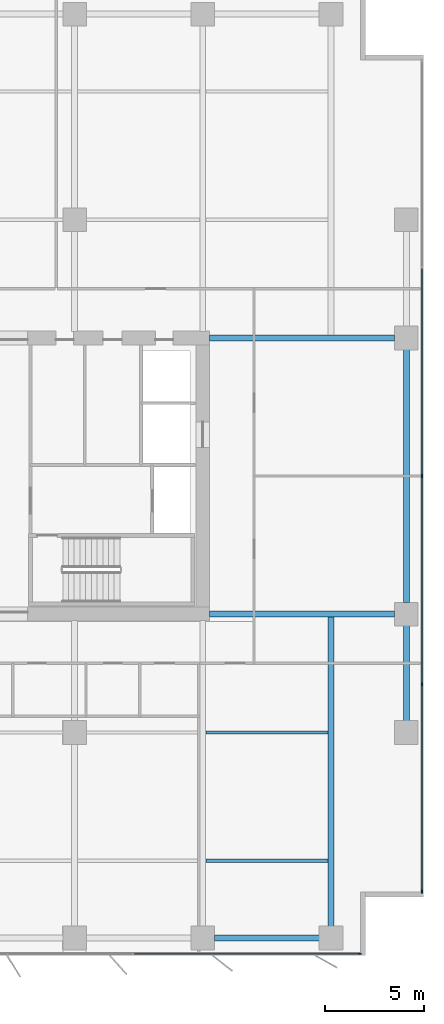
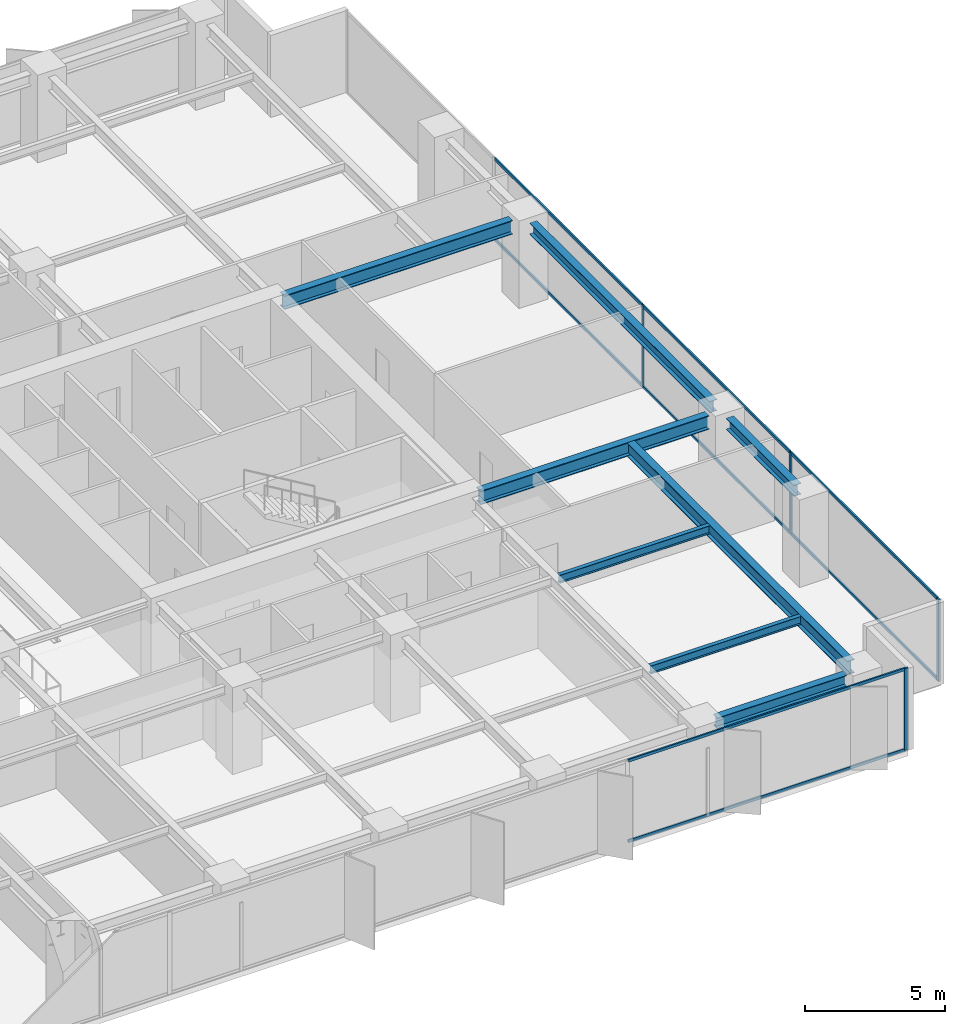
# One storey, part 10 of 20: 12 members, 8 beams, 2 elements without a shape of their own.
"""IFC4 building model written with IfcOpenShell, lengths in metres."""

from ifc_helpers import new_model, si_unit, direction, frame, origin, origin_2d, place, context, subcontext, project, spatial, rectangle, i_section, extrude, material, layer, layer_set, material_profile, profile_set, type_object, element, aggregate, save


model = new_model("IFC4")

# Units and contexts
model_context = context("Model", 3, precision=1e-05, world=origin(), true_north=direction((0.0, 1.0)))
body_context = subcontext(model_context, "Body", "Model", "MODEL_VIEW")
ifc_project = project(units=[si_unit("LENGTHUNIT", "METRE"), si_unit("AREAUNIT", "SQUARE_METRE"), si_unit("VOLUMEUNIT", "CUBIC_METRE"), si_unit("PLANEANGLEUNIT", "RADIAN"), si_unit("MASSUNIT", "GRAM", prefix="KILO")], contexts=[model_context])

# Site, building, storey
site_placement = place(None, origin())
site = spatial("IfcSite", under=ifc_project, at=site_placement, CompositionType="ELEMENT")
building_placement = place(site_placement, origin())
building = spatial("IfcBuilding", under=site, at=building_placement, Name="Putna Gate Headquarters", CompositionType="ELEMENT")
storey_placement = place(building_placement, frame((0.0, 0.0, 97.39990234375)))
storey = spatial("IfcBuildingStorey", under=building, at=storey_placement, Name="L23", CompositionType="ELEMENT", Elevation=97.39990234375)

# Beams
ifc_material_1 = material(Name="Steel S355J2", Category="steel")
ifc_material_profile_1 = material_profile(ifc_material_1, i_section(OverallWidth=0.300048828125, OverallDepth=0.60009765625, WebThickness=0.015380859375, FlangeThickness=0.030029296875, at=origin_2d()), Name="Steel S355J2")
ifc_profile_set_1 = profile_set([ifc_material_profile_1], Name="Steel S355J2")
beam_type_1 = type_object("IfcBeamType", Name="BM-GIRD-Z2-HEB600", PredefinedType="USERDEFINED", material=ifc_profile_set_1)
for number, where, z_axis, x_axis, name in (
    (1, (65.3349609375, 19.0, 3.26513671875), (1.0, 0.0, 0.0), (0.0, 1.0, 0.0), "L23 East Wing Girder Y19"),
    (2, (65.3349609375, 33.0, 3.26513671875), (1.0, 0.0, 0.0), (0.0, 1.0, 0.0), "L23 East Wing Girder Y33"),
):
    element("IfcBeam", number, at=place(storey_placement, frame(where, z_axis=z_axis, x_axis=x_axis)), inside=storey, type_object=beam_type_1, Name=name, ObjectType="GIRDER", PredefinedType="USERDEFINED", context=body_context, shape_type="SweptSolid", body=[
        extrude(i_section(OverallWidth=0.300048828125, OverallDepth=0.60009765625, WebThickness=0.015380859375, FlangeThickness=0.030029296875, at=origin_2d()), origin(), (0.0, 0.0, 1.0), 9.39697265625),
    ])
beam_1_placement = place(storey_placement, frame((71.5, 3.16796875, 3.26513671875), z_axis=(0.0, 1.0, 0.0), x_axis=(-1.0, 0.0, 0.0)))
element("IfcBeam", 3, at=beam_1_placement, inside=storey, type_object=beam_type_1, Name="L23 South Primary Girder X71", ObjectType="GIRDER", PredefinedType="USERDEFINED", context=body_context, shape_type="SweptSolid", body=[
    extrude(i_section(OverallWidth=0.300048828125, OverallDepth=0.60009765625, WebThickness=0.015380859375, FlangeThickness=0.030029296875, at=origin_2d()), origin(), (0.0, 0.0, 1.0), 15.820068359375),
])
ifc_material_profile_2 = material_profile(ifc_material_1, i_section(OverallWidth=0.169921875, OverallDepth=0.360107421875, WebThickness=0.008056640625, FlangeThickness=0.0126953125, at=origin_2d()), Name="Steel S355J2")
ifc_profile_set_2 = profile_set([ifc_material_profile_2], Name="Steel S355J2")
beam_type_2 = type_object("IfcBeamType", Name="BM-SEC-Z2-IPE360", PredefinedType="BEAM", material=ifc_profile_set_2)
for number, where, z_axis, x_axis, name in (
    (4, (65.154052734375, 6.5, 3.385009765625), (1.0, 0.0, 0.0), (0.0, 1.0, 0.0), "L23 South Secondary Beam 10"),
    (5, (65.154052734375, 13.0, 3.385009765625), (1.0, 0.0, 0.0), (0.0, 1.0, 0.0), "L23 South Secondary Beam 10"),
):
    element("IfcBeam", number, at=place(storey_placement, frame(where, z_axis=z_axis, x_axis=x_axis)), inside=storey, type_object=beam_type_2, Name=name, PredefinedType="BEAM", context=body_context, shape_type="SweptSolid", body=[
        extrude(i_section(OverallWidth=0.169921875, OverallDepth=0.360107421875, WebThickness=0.008056640625, FlangeThickness=0.0126953125, at=origin_2d()), origin(), (0.0, 0.0, 1.0), 6.19189453125),
    ])
ifc_material_profile_3 = material_profile(ifc_material_1, i_section(OverallWidth=0.300048828125, OverallDepth=0.489990234375, WebThickness=0.011962890625, FlangeThickness=0.02294921875, at=origin_2d()), Name="Steel S355J2")
ifc_profile_set_3 = profile_set([ifc_material_profile_3], Name="Steel S355J2")
beam_type_3 = type_object("IfcBeamType", Name="BM-SPAN-Z2-HEA500", PredefinedType="SPANDREL", material=ifc_profile_set_3)
beam_2_placement = place(storey_placement, frame((65.587890625, 2.580078125, 3.320068359375), z_axis=(1.0, 0.0, 0.0), x_axis=(0.0, 1.0, 0.0)))
element("IfcBeam", 6, at=beam_2_placement, inside=storey, type_object=beam_type_3, Name="L23 S Perimeter Spandrel 10", PredefinedType="SPANDREL", context=body_context, shape_type="SweptSolid", body=[
    extrude(i_section(OverallWidth=0.300048828125, OverallDepth=0.489990234375, WebThickness=0.011962890625, FlangeThickness=0.02294921875, at=origin_2d()), origin(), (0.0, 0.0, 1.0), 5.32421875),
])
beam_3_placement = place(storey_placement, frame((75.320068359375, 13.587890625, 3.320068359375), z_axis=(0.0, 1.0, 0.0), x_axis=(-1.0, 0.0, 0.0)))
element("IfcBeam", 7, at=beam_3_placement, inside=storey, type_object=beam_type_3, Name="L23 E End Spandrel 1", PredefinedType="SPANDREL", context=body_context, shape_type="SweptSolid", body=[
    extrude(i_section(OverallWidth=0.300048828125, OverallDepth=0.489990234375, WebThickness=0.011962890625, FlangeThickness=0.02294921875, at=origin_2d()), origin(), (0.0, 0.0, 1.0), 4.82421875),
])
beam_4_placement = place(storey_placement, frame((75.320068359375, 19.587890625, 3.320068359375), z_axis=(0.0, 1.0, 0.0), x_axis=(-1.0, 0.0, 0.0)))
element("IfcBeam", 8, at=beam_4_placement, inside=storey, type_object=beam_type_3, Name="L23 E End Spandrel 2", PredefinedType="SPANDREL", context=body_context, shape_type="SweptSolid", body=[
    extrude(i_section(OverallWidth=0.300048828125, OverallDepth=0.489990234375, WebThickness=0.011962890625, FlangeThickness=0.02294921875, at=origin_2d()), origin(), (0.0, 0.0, 1.0), 12.82421875),
])

# Curtain wall, member
ifc_material_2 = material(Name="Anodised bronze aluminium curtain wall", Category="aluminium")
ifc_layer = layer(ifc_material_2, 0.159912109375)
ifc_layer_set = layer_set([ifc_layer], Name="Anodised bronze aluminium curtain wall")
curtain_wall_type = type_object("IfcCurtainWallType", Name="CW-SYS-Z2", PredefinedType="USERDEFINED", material=ifc_layer_set)
curtain_wall_1_placement = place(storey_placement, origin())
curtain_wall_1 = element("IfcCurtainWall", 9, at=curtain_wall_1_placement, inside=storey, type_object=curtain_wall_type, Name="L23 South East Curtain Wall", ObjectType="STICK CURTAIN WALL", PredefinedType="USERDEFINED")
ifc_material_3 = material(Name="Anodised bronze aluminium EN AW-6060", Category="aluminium")
ifc_material_profile_4 = material_profile(ifc_material_3, rectangle(XDim=0.06494140625, YDim=0.159912109375, at=origin_2d()), Name="Anodised bronze aluminium EN AW-6060")
ifc_profile_set_4 = profile_set([ifc_material_profile_4], Name="Anodised bronze aluminium EN AW-6060")
member_type_1 = type_object("IfcMemberType", Name="MULL-CWM-2", PredefinedType="MULLION", material=ifc_profile_set_4)
member_1_placement = place(storey_placement, frame((72.967529296875, 1.780029296875, 0.0), z_axis=(0.0, 0.0, 1.0), x_axis=(0.0, 1.0, 0.0)))
member_1 = element("IfcMember", 10, at=member_1_placement, type_object=member_type_1, Name="CWS-2 mullion 3", PredefinedType="MULLION", context=body_context, shape_type="SweptSolid", body=[
    extrude(rectangle(XDim=0.06494140625, YDim=0.159912109375, at=origin_2d()), origin(), (0.0, 0.0, 1.0), 3.565185546875),
])

# Curtain wall, members
curtain_wall_2_placement = place(storey_placement, origin())
curtain_wall_2 = element("IfcCurtainWall", 11, at=curtain_wall_2_placement, inside=storey, type_object=curtain_wall_type, Name="L23 East Curtain Wall", ObjectType="STICK CURTAIN WALL", PredefinedType="USERDEFINED")
member_2_placement = place(storey_placement, frame((76.1201171875, 4.9326171875, 0.0), z_axis=(0.0, 0.0, 1.0), x_axis=(-1.0, 0.0, 0.0)))
member_2 = element("IfcMember", 12, at=member_2_placement, type_object=member_type_1, Name="CWS-2 mullion 1", PredefinedType="MULLION", context=body_context, shape_type="SweptSolid", body=[
    extrude(rectangle(XDim=0.06494140625, YDim=0.159912109375, at=origin_2d()), origin(), (0.0, 0.0, 1.0), 3.565185546875),
])
member_3_placement = place(storey_placement, frame((76.1201171875, 15.449951171875, 0.0), z_axis=(0.0, 0.0, 1.0), x_axis=(-1.0, 0.0, 0.0)))
member_3 = element("IfcMember", 13, at=member_3_placement, type_object=member_type_1, Name="CWS-2 mullion 2", PredefinedType="MULLION", context=body_context, shape_type="SweptSolid", body=[
    extrude(rectangle(XDim=0.06494140625, YDim=0.159912109375, at=origin_2d()), origin(), (0.0, 0.0, 1.0), 3.565185546875),
])
member_4_placement = place(storey_placement, frame((76.1201171875, 26.0, 0.0), z_axis=(0.0, 0.0, 1.0), x_axis=(-1.0, 0.0, 0.0)))
member_4 = element("IfcMember", 14, at=member_4_placement, type_object=member_type_1, Name="CWS-2 mullion 3", PredefinedType="MULLION", context=body_context, shape_type="SweptSolid", body=[
    extrude(rectangle(XDim=0.06494140625, YDim=0.159912109375, at=origin_2d()), origin(), (0.0, 0.0, 1.0), 3.565185546875),
])

# Member
ifc_material_profile_5 = material_profile(ifc_material_3, rectangle(XDim=0.06494140625, YDim=0.1201171875, at=origin_2d()), Name="Anodised bronze aluminium EN AW-6060")
ifc_profile_set_5 = profile_set([ifc_material_profile_5], Name="Anodised bronze aluminium EN AW-6060")
member_type_2 = type_object("IfcMemberType", Name="TRAN-CWT-2", PredefinedType="USERDEFINED", material=ifc_profile_set_5)
member_5_placement = place(storey_placement, frame((61.532470703125, 1.780029296875, 0.03271484375), z_axis=(1.0, 0.0, 0.0), x_axis=(0.0, 1.0, 0.0)))
member_5 = element("IfcMember", 15, at=member_5_placement, type_object=member_type_2, Name="CWS-2 transom 2.1", ObjectType="TRANSOM", PredefinedType="USERDEFINED", context=body_context, shape_type="SweptSolid", body=[
    extrude(rectangle(XDim=0.06494140625, YDim=0.1201171875, at=origin_2d()), origin(), (0.0, 0.0, 1.0), 11.402587890625),
])

member_6_placement = place(storey_placement, frame((61.532470703125, 1.780029296875, 3.53271484375), z_axis=(1.0, 0.0, 0.0), x_axis=(0.0, 1.0, 0.0)))
member_6 = element("IfcMember", 16, at=member_6_placement, type_object=member_type_2, Name="CWS-2 transom 2.2", ObjectType="TRANSOM", PredefinedType="USERDEFINED", context=body_context, shape_type="SweptSolid", body=[
    extrude(rectangle(XDim=0.06494140625, YDim=0.1201171875, at=origin_2d()), origin(), (0.0, 0.0, 1.0), 11.402587890625),
])

aggregate(curtain_wall_1, [member_1, member_5, member_6])

member_7_placement = place(storey_placement, frame((76.1201171875, 4.965087890625, 0.03271484375), z_axis=(0.0, 1.0, 0.0), x_axis=(-1.0, 0.0, 0.0)))
member_7 = element("IfcMember", 17, at=member_7_placement, type_object=member_type_2, Name="CWS-2 transom 1.1", ObjectType="TRANSOM", PredefinedType="USERDEFINED", context=body_context, shape_type="SweptSolid", body=[
    extrude(rectangle(XDim=0.06494140625, YDim=0.1201171875, at=origin_2d()), origin(), (0.0, 0.0, 1.0), 10.452392578125),
])

member_8_placement = place(storey_placement, frame((76.1201171875, 4.965087890625, 3.53271484375), z_axis=(0.0, 1.0, 0.0), x_axis=(-1.0, 0.0, 0.0)))
member_8 = element("IfcMember", 18, at=member_8_placement, type_object=member_type_2, Name="CWS-2 transom 1.2", ObjectType="TRANSOM", PredefinedType="USERDEFINED", context=body_context, shape_type="SweptSolid", body=[
    extrude(rectangle(XDim=0.06494140625, YDim=0.1201171875, at=origin_2d()), origin(), (0.0, 0.0, 1.0), 10.452392578125),
])

member_9_placement = place(storey_placement, frame((76.1201171875, 15.482421875, 0.03271484375), z_axis=(0.0, 1.0, 0.0), x_axis=(-1.0, 0.0, 0.0)))
member_9 = element("IfcMember", 19, at=member_9_placement, type_object=member_type_2, Name="CWS-2 transom 2.1", ObjectType="TRANSOM", PredefinedType="USERDEFINED", context=body_context, shape_type="SweptSolid", body=[
    extrude(rectangle(XDim=0.06494140625, YDim=0.1201171875, at=origin_2d()), origin(), (0.0, 0.0, 1.0), 10.485107421875),
])

member_10_placement = place(storey_placement, frame((76.1201171875, 15.482421875, 3.53271484375), z_axis=(0.0, 1.0, 0.0), x_axis=(-1.0, 0.0, 0.0)))
member_10 = element("IfcMember", 20, at=member_10_placement, type_object=member_type_2, Name="CWS-2 transom 2.2", ObjectType="TRANSOM", PredefinedType="USERDEFINED", context=body_context, shape_type="SweptSolid", body=[
    extrude(rectangle(XDim=0.06494140625, YDim=0.1201171875, at=origin_2d()), origin(), (0.0, 0.0, 1.0), 10.485107421875),
])

member_11_placement = place(storey_placement, frame((76.1201171875, 26.032470703125, 0.03271484375), z_axis=(0.0, 1.0, 0.0), x_axis=(-1.0, 0.0, 0.0)))
member_11 = element("IfcMember", 21, at=member_11_placement, type_object=member_type_2, Name="CWS-2 transom 3.1", ObjectType="TRANSOM", PredefinedType="USERDEFINED", context=body_context, shape_type="SweptSolid", body=[
    extrude(rectangle(XDim=0.06494140625, YDim=0.1201171875, at=origin_2d()), origin(), (0.0, 0.0, 1.0), 10.485107421875),
])

member_12_placement = place(storey_placement, frame((76.1201171875, 26.032470703125, 3.53271484375), z_axis=(0.0, 1.0, 0.0), x_axis=(-1.0, 0.0, 0.0)))
member_12 = element("IfcMember", 22, at=member_12_placement, type_object=member_type_2, Name="CWS-2 transom 3.2", ObjectType="TRANSOM", PredefinedType="USERDEFINED", context=body_context, shape_type="SweptSolid", body=[
    extrude(rectangle(XDim=0.06494140625, YDim=0.1201171875, at=origin_2d()), origin(), (0.0, 0.0, 1.0), 10.485107421875),
])

aggregate(curtain_wall_2, [member_2, member_3, member_4, member_7, member_8, member_9, member_10, member_11, member_12])

save(model, "model.ifc")
